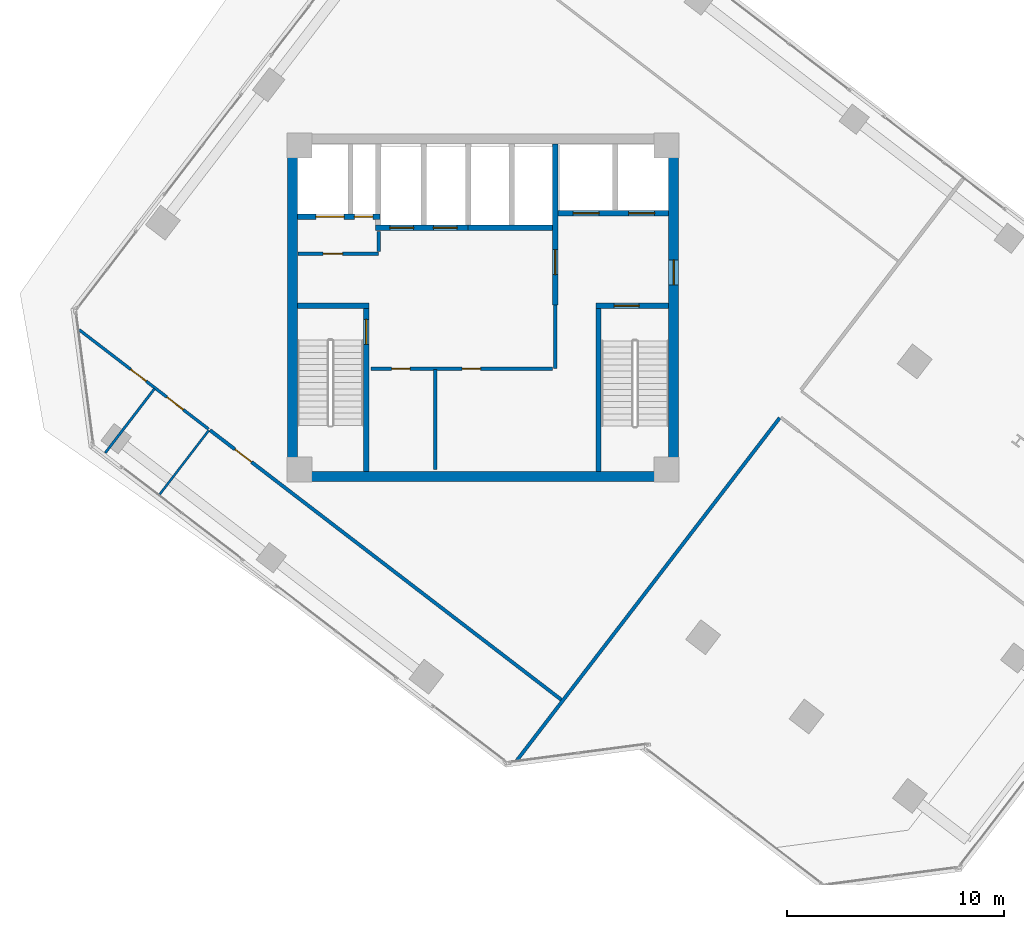
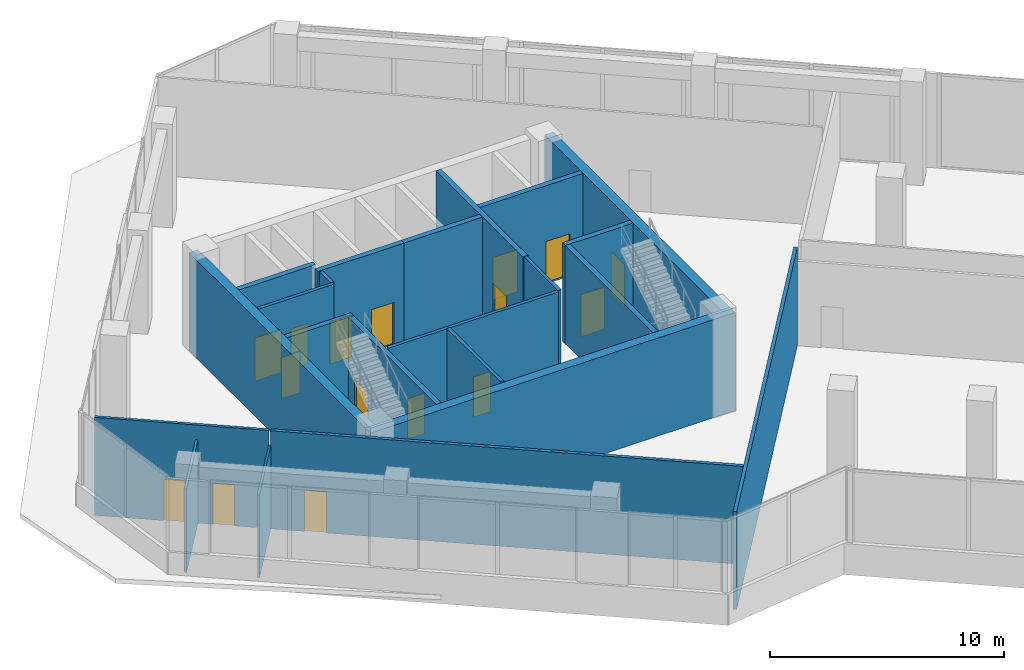
# One storey, part 18 of 23: 22 walls, 16 doors, 16 openings.
"""IFC4 building model written with IfcOpenShell, lengths in metres."""

from ifc_helpers import new_model, si_unit, direction, frame, frame_2d, origin, place, context, subcontext, project, spatial, rectangle, extrude, source, transform, mapped, material, layer, layer_set, type_object, element, fill, save


model = new_model("IFC4")

# Units and contexts
model_context = context("Model", 3, precision=1e-05, world=origin(), true_north=direction((0.0, 1.0)))
body_context = subcontext(model_context, "Body", "Model", "MODEL_VIEW")
ifc_project = project(units=[si_unit("LENGTHUNIT", "METRE"), si_unit("AREAUNIT", "SQUARE_METRE"), si_unit("VOLUMEUNIT", "CUBIC_METRE"), si_unit("PLANEANGLEUNIT", "RADIAN"), si_unit("MASSUNIT", "GRAM", prefix="KILO")], contexts=[model_context])

# Site, building, storey
site_placement = place(None, origin())
site = spatial("IfcSite", under=ifc_project, at=site_placement, CompositionType="ELEMENT")
building_placement = place(site_placement, origin())
building = spatial("IfcBuilding", under=site, at=building_placement, Name="Torre Montelarca", CompositionType="ELEMENT")
storey_placement = place(building_placement, frame((0.0, 0.0, 204.39990234375)))
storey = spatial("IfcBuildingStorey", under=building, at=storey_placement, Name="L46", CompositionType="ELEMENT", Elevation=204.39990234375)

# Wall, opening, door
ifc_material_1 = material(Name="Concrete C40/50", Category="concrete")
ifc_layer_1 = layer(ifc_material_1, 0.25, Name="Concrete C40/50", Category="concrete")
ifc_layer_set_1 = layer_set([ifc_layer_1], Name="Concrete C40/50")
wall_type_1 = type_object("IfcWallType", Name="CW-SHAFT-250", PredefinedType="SHEAR", material=ifc_layer_set_1)
wall_1_placement = place(storey_placement, frame((12.625, 24.4599609375, 0.0), z_axis=(0.0, 0.0, 1.0), x_axis=(0.0, 1.0, 0.0)))
wall_1 = element("IfcWall", 1, at=wall_1_placement, inside=storey, type_object=wall_type_1, Name="L46 Core Shear Wall SH-ST1-E", PredefinedType="SHEAR", context=body_context, shape_type="SweptSolid", body=[
    extrude(rectangle(XDim=7.489990234375, YDim=0.25, at=frame_2d((3.7451171875, 0.0))), origin(), (0.0, 0.0, 1.0), 5.1201171875),
])
opening_1_placement = place(wall_1_placement, frame((5.85009765625, 0.0, 0.0)))
opening_1 = element("IfcOpeningElement", 2, at=opening_1_placement, cuts=wall_1, Name="Opening FD-ST1", PredefinedType="OPENING", context=body_context, shape_type="SweptSolid", body=[
    extrude(rectangle(XDim=1.14990234375, YDim=2.199951171875, at=frame_2d((0.574951171875, 1.10009765625))), frame((0.0, 0.135009765625, 0.0), z_axis=(0.0, -1.0, 0.0), x_axis=(1.0, 0.0, 0.0)), (0.0, 0.0, 1.0), 0.27001953125),
])
ifc_material_2 = material(Name="Galvanized steel fire door", Category="steel")
door_type_1 = type_object("IfcDoorType", Name="DR-STAIR-115", OperationType="NOTDEFINED", PredefinedType="DOOR", material=ifc_material_2)
shared_shape_1 = source(origin(), body_context, "Body", "SweptSolid", [
    extrude(rectangle(XDim=1.14990234375, YDim=2.199951171875, at=frame_2d((0.574951171875, 1.10009765625))), frame((0.0, 0.02490234375, 0.0), z_axis=(0.0, -1.0, 0.0), x_axis=(1.0, 0.0, 0.0)), (0.0, 0.0, 1.0), 0.050048828125),
])
door_1_placement = place(opening_1_placement, origin())
door_1 = element("IfcDoor", 3, at=door_1_placement, inside=storey, type_object=door_type_1, Name="L46 Exit Stair ST1 Fire Door", OperationType="SINGLE_SWING_RIGHT", OverallHeight=2.199951171875, OverallWidth=1.14990234375, PredefinedType="DOOR", context=body_context, shape_type="MappedRepresentation", body=[
    mapped(shared_shape_1, transform((0.0, 0.0, 0.0), scale=1.0)),
])
fill(opening_1, door_1)

# Walls
wall_2_placement = place(storey_placement, frame((9.4599609375, 32.074951171875, 0.0), z_axis=(0.0, 0.0, 1.0), x_axis=(1.0, 0.0, 0.0)))
element("IfcWall", 4, at=wall_2_placement, inside=storey, type_object=wall_type_1, Name="L46 Core Shear Wall SH-ST1-N", PredefinedType="SHEAR", context=body_context, shape_type="SweptSolid", body=[
    extrude(rectangle(XDim=3.2900390625, YDim=0.25, at=frame_2d((1.64501953125, 0.0))), origin(), (0.0, 0.0, 1.0), 5.1201171875),
])
wall_3_placement = place(storey_placement, frame((23.31494140625, 24.4599609375, 0.0), z_axis=(0.0, 0.0, 1.0), x_axis=(0.0, 1.0, 0.0)))
element("IfcWall", 5, at=wall_3_placement, inside=storey, type_object=wall_type_1, Name="L46 Core Shear Wall SH-ST2-W", PredefinedType="SHEAR", context=body_context, shape_type="SweptSolid", body=[
    extrude(rectangle(XDim=7.489990234375, YDim=0.25, at=frame_2d((3.7451171875, 0.0))), origin(), (0.0, 0.0, 1.0), 5.1201171875),
])

# Wall, opening, door
wall_4_placement = place(storey_placement, frame((23.18994140625, 32.074951171875, 0.0), z_axis=(0.0, 0.0, 1.0), x_axis=(1.0, 0.0, 0.0)))
wall_4 = element("IfcWall", 6, at=wall_4_placement, inside=storey, type_object=wall_type_1, Name="L46 Core Shear Wall SH-ST2-N", PredefinedType="SHEAR", context=body_context, shape_type="SweptSolid", body=[
    extrude(rectangle(XDim=3.35009765625, YDim=0.25, at=frame_2d((1.675048828125, 0.0))), origin(), (0.0, 0.0, 1.0), 5.1201171875),
])
opening_2_placement = place(wall_4_placement, frame((0.85009765625, 0.0, 0.0)))
opening_2 = element("IfcOpeningElement", 7, at=opening_2_placement, cuts=wall_4, Name="Opening FD-ST1", PredefinedType="OPENING", context=body_context, shape_type="SweptSolid", body=[
    extrude(rectangle(XDim=1.14990234375, YDim=2.199951171875, at=frame_2d((0.574951171875, 1.10009765625))), frame((0.0, 0.135009765625, 0.0), z_axis=(0.0, -1.0, 0.0), x_axis=(1.0, 0.0, 0.0)), (0.0, 0.0, 1.0), 0.27001953125),
])
door_2_placement = place(opening_2_placement, origin())
door_2 = element("IfcDoor", 8, at=door_2_placement, inside=storey, type_object=door_type_1, Name="L46 Exit Stair ST2 Fire Door", OperationType="SINGLE_SWING_RIGHT", OverallHeight=2.199951171875, OverallWidth=1.14990234375, PredefinedType="DOOR", context=body_context, shape_type="MappedRepresentation", body=[
    mapped(shared_shape_1, transform((0.0, 0.0, 0.0), scale=1.0)),
])
fill(opening_2, door_2)

wall_5_placement = place(storey_placement, frame((21.320068359375, 32.1201171875, 0.0), z_axis=(0.0, 0.0, 1.0), x_axis=(0.0, 1.0, 0.0)))
wall_5 = element("IfcWall", 9, at=wall_5_placement, inside=storey, type_object=wall_type_1, Name="L46 Core Shear Wall SH-FFL-W", PredefinedType="SHEAR", context=body_context, shape_type="SweptSolid", body=[
    extrude(rectangle(XDim=7.419921875, YDim=0.25, at=frame_2d((3.7099609375, 0.0))), origin(), (0.0, 0.0, 1.0), 5.1201171875),
])
opening_3_placement = place(wall_5_placement, frame((1.39990234375, 0.0, 0.0)))
opening_3 = element("IfcOpeningElement", 10, at=opening_3_placement, cuts=wall_5, Name="Opening FD-LB1", PredefinedType="OPENING", context=body_context, shape_type="SweptSolid", body=[
    extrude(rectangle(XDim=1.14990234375, YDim=2.199951171875, at=frame_2d((0.574951171875, 1.10009765625))), frame((0.0, 0.135009765625, 0.0), z_axis=(0.0, -1.0, 0.0), x_axis=(1.0, 0.0, 0.0)), (0.0, 0.0, 1.0), 0.27001953125),
])
ifc_material_3 = material(Name="Acoustic timber-veneered fire door", Category="wood")
door_type_2 = type_object("IfcDoorType", Name="DR-LOBBY-115", OperationType="NOTDEFINED", PredefinedType="DOOR", material=ifc_material_3)
shared_shape_2 = source(origin(), body_context, "Body", "SweptSolid", [
    extrude(rectangle(XDim=1.14990234375, YDim=2.199951171875, at=frame_2d((0.574951171875, 1.10009765625))), frame((0.0, 0.02490234375, 0.0), z_axis=(0.0, -1.0, 0.0), x_axis=(1.0, 0.0, 0.0)), (0.0, 0.0, 1.0), 0.050048828125),
])
door_3_placement = place(opening_3_placement, origin())
door_3 = element("IfcDoor", 11, at=door_3_placement, inside=storey, type_object=door_type_2, Name="L46 Lift Lobby to Firefighting Lobby Smoke Door", OperationType="SINGLE_SWING_LEFT", OverallHeight=2.199951171875, OverallWidth=1.14990234375, PredefinedType="DOOR", context=body_context, shape_type="MappedRepresentation", body=[
    mapped(shared_shape_2, transform((0.0, 0.0, 0.0), scale=1.0)),
])
fill(opening_3, door_3)

# Wall, openings, doors
wall_6_placement = place(storey_placement, frame((9.4599609375, 36.179931640625, 0.0), z_axis=(0.0, 0.0, 1.0), x_axis=(1.0, 0.0, 0.0)))
wall_6 = element("IfcWall", 12, at=wall_6_placement, inside=storey, type_object=wall_type_1, Name="L46 Core Shear Wall SH-SV1-S", PredefinedType="SHEAR", context=body_context, shape_type="SweptSolid", body=[
    extrude(rectangle(XDim=3.7900390625, YDim=0.25, at=frame_2d((1.89501953125, 0.0))), origin(), (0.0, 0.0, 1.0), 5.1201171875),
])
opening_4_placement = place(wall_6_placement, frame((2.6201171875, 0.0, 0.0)))
opening_4 = element("IfcOpeningElement", 13, at=opening_4_placement, cuts=wall_6, Name="Opening FD-085", PredefinedType="OPENING", context=body_context, shape_type="SweptSolid", body=[
    extrude(rectangle(XDim=0.85009765625, YDim=2.10009765625, at=frame_2d((0.425048828125, 1.050048828125))), frame((0.0, 0.135009765625, 0.0), z_axis=(0.0, -1.0, 0.0), x_axis=(1.0, 0.0, 0.0)), (0.0, 0.0, 1.0), 0.27001953125),
])
opening_5_placement = place(wall_6_placement, frame((0.85009765625, 0.0, 0.0)))
opening_5 = element("IfcOpeningElement", 14, at=opening_5_placement, cuts=wall_6, Name="Opening LD-130", PredefinedType="OPENING", context=body_context, shape_type="SweptSolid", body=[
    extrude(rectangle(XDim=1.300048828125, YDim=2.25, at=frame_2d((0.64990234375, 1.125))), frame((0.0, 0.135009765625, 0.0), z_axis=(0.0, -1.0, 0.0), x_axis=(1.0, 0.0, 0.0)), (0.0, 0.0, 1.0), 0.27001953125),
])
ifc_material_4 = material(Name="Steel riser access fire door", Category="steel")
door_type_3 = type_object("IfcDoorType", Name="DR-RISER-085", OperationType="NOTDEFINED", PredefinedType="DOOR", material=ifc_material_4)
shared_shape_3 = source(origin(), body_context, "Body", "SweptSolid", [
    extrude(rectangle(XDim=0.85009765625, YDim=2.10009765625, at=frame_2d((0.425048828125, 1.050048828125))), frame((0.0, 0.02490234375, 0.0), z_axis=(0.0, -1.0, 0.0), x_axis=(1.0, 0.0, 0.0)), (0.0, 0.0, 1.0), 0.050048828125),
])
door_4_placement = place(opening_4_placement, origin())
door_4 = element("IfcDoor", 15, at=door_4_placement, inside=storey, type_object=door_type_3, Name="L46 Electrical Riser Shaft Access Door", OperationType="SINGLE_SWING_RIGHT", OverallHeight=2.10009765625, OverallWidth=0.85009765625, PredefinedType="DOOR", context=body_context, shape_type="MappedRepresentation", body=[
    mapped(shared_shape_3, transform((0.0, 0.0, 0.0), scale=1.0)),
])
fill(opening_4, door_4)
ifc_material_5 = material(Name="Brushed stainless steel AISI 316", Category="steel")
door_type_4 = type_object("IfcDoorType", Name="DR-LIFT-130", OperationType="SLIDING_TO_LEFT", PredefinedType="DOOR", material=ifc_material_5)
shared_shape_4 = source(origin(), body_context, "Body", "SweptSolid", [
    extrude(rectangle(XDim=1.300048828125, YDim=2.25, at=frame_2d((0.64990234375, 1.125))), frame((0.0, 0.02490234375, 0.0), z_axis=(0.0, -1.0, 0.0), x_axis=(1.0, 0.0, 0.0)), (0.0, 0.0, 1.0), 0.050048828125),
])
door_5_placement = place(opening_5_placement, origin())
door_5 = element("IfcDoor", 16, at=door_5_placement, inside=storey, type_object=door_type_4, Name="L46 Lift Landing Sliding Door SV-1", OperationType="SLIDING_TO_LEFT", OverallHeight=2.25, OverallWidth=1.300048828125, PredefinedType="DOOR", context=body_context, shape_type="MappedRepresentation", body=[
    mapped(shared_shape_4, transform((0.0, 0.0, 0.0), scale=1.0)),
])
fill(opening_5, door_5)

wall_7_placement = place(storey_placement, frame((21.449951171875, 36.35009765625, 0.0), z_axis=(0.0, 0.0, 1.0), x_axis=(1.0, 0.0, 0.0)))
wall_7 = element("IfcWall", 17, at=wall_7_placement, inside=storey, type_object=wall_type_1, Name="L46 Core Shear Wall SH-FF-S", PredefinedType="SHEAR", context=body_context, shape_type="SweptSolid", body=[
    extrude(rectangle(XDim=5.090087890625, YDim=0.25, at=frame_2d((2.544921875, 0.0))), origin(), (0.0, 0.0, 1.0), 5.1201171875),
])
opening_6_placement = place(wall_7_placement, frame((0.699951171875, 0.0, 0.0)))
opening_6 = element("IfcOpeningElement", 18, at=opening_6_placement, cuts=wall_7, Name="Opening LD-120", PredefinedType="OPENING", context=body_context, shape_type="SweptSolid", body=[
    extrude(rectangle(XDim=1.199951171875, YDim=2.199951171875, at=frame_2d((0.60009765625, 1.10009765625))), frame((0.0, 0.135009765625, 0.0), z_axis=(0.0, -1.0, 0.0), x_axis=(1.0, 0.0, 0.0)), (0.0, 0.0, 1.0), 0.27001953125),
])
opening_7_placement = place(wall_7_placement, frame((3.25, 0.0, 0.0)))
opening_7 = element("IfcOpeningElement", 19, at=opening_7_placement, cuts=wall_7, Name="Opening LD-120", PredefinedType="OPENING", context=body_context, shape_type="SweptSolid", body=[
    extrude(rectangle(XDim=1.199951171875, YDim=2.199951171875, at=frame_2d((0.60009765625, 1.10009765625))), frame((0.0, 0.135009765625, 0.0), z_axis=(0.0, -1.0, 0.0), x_axis=(1.0, 0.0, 0.0)), (0.0, 0.0, 1.0), 0.27001953125),
])
door_type_5 = type_object("IfcDoorType", Name="DR-LIFT-120", OperationType="SLIDING_TO_RIGHT", PredefinedType="DOOR", material=ifc_material_5)
shared_shape_5 = source(origin(), body_context, "Body", "SweptSolid", [
    extrude(rectangle(XDim=1.199951171875, YDim=2.199951171875, at=frame_2d((0.60009765625, 1.10009765625))), frame((0.0, 0.02490234375, 0.0), z_axis=(0.0, -1.0, 0.0), x_axis=(1.0, 0.0, 0.0)), (0.0, 0.0, 1.0), 0.050048828125),
])
door_6_placement = place(opening_6_placement, origin())
door_6 = element("IfcDoor", 20, at=door_6_placement, inside=storey, type_object=door_type_5, Name="L46 Lift Landing Sliding Door FF-1", OperationType="SLIDING_TO_LEFT", OverallHeight=2.199951171875, OverallWidth=1.199951171875, PredefinedType="DOOR", context=body_context, shape_type="MappedRepresentation", body=[
    mapped(shared_shape_5, transform((0.0, 0.0, 0.0), scale=1.0)),
])
fill(opening_6, door_6)
door_7_placement = place(opening_7_placement, origin())
door_7 = element("IfcDoor", 21, at=door_7_placement, inside=storey, type_object=door_type_5, Name="L46 Lift Landing Sliding Door FF-2", OperationType="SLIDING_TO_RIGHT", OverallHeight=2.199951171875, OverallWidth=1.199951171875, PredefinedType="DOOR", context=body_context, shape_type="MappedRepresentation", body=[
    mapped(shared_shape_5, transform((0.0, 0.0, 0.0), scale=1.0)),
])
fill(opening_7, door_7)

wall_8_placement = place(storey_placement, frame((13.06005859375, 35.679931640625, 0.0), z_axis=(0.0, 0.0, 1.0), x_axis=(1.0, 0.0, 0.0)))
wall_8 = element("IfcWall", 22, at=wall_8_placement, inside=storey, type_object=wall_type_1, Name="L46 Core Shear Wall SH-PLM-S", PredefinedType="SHEAR", context=body_context, shape_type="SweptSolid", body=[
    extrude(rectangle(XDim=4.25, YDim=0.25, at=frame_2d((2.125, 0.0))), origin(), (0.0, 0.0, 1.0), 5.1201171875),
])
opening_8_placement = place(wall_8_placement, frame((0.64990234375, 0.0, 0.0)))
opening_8 = element("IfcOpeningElement", 23, at=opening_8_placement, cuts=wall_8, Name="Opening LD-110", PredefinedType="OPENING", context=body_context, shape_type="SweptSolid", body=[
    extrude(rectangle(XDim=1.10009765625, YDim=2.199951171875, at=frame_2d((0.550048828125, 1.10009765625))), frame((0.0, 0.135009765625, 0.0), z_axis=(0.0, -1.0, 0.0), x_axis=(1.0, 0.0, 0.0)), (0.0, 0.0, 1.0), 0.27001953125),
])
opening_9_placement = place(wall_8_placement, frame((2.64990234375, 0.0, 0.0)))
opening_9 = element("IfcOpeningElement", 24, at=opening_9_placement, cuts=wall_8, Name="Opening LD-110", PredefinedType="OPENING", context=body_context, shape_type="SweptSolid", body=[
    extrude(rectangle(XDim=1.10009765625, YDim=2.199951171875, at=frame_2d((0.550048828125, 1.10009765625))), frame((0.0, 0.135009765625, 0.0), z_axis=(0.0, -1.0, 0.0), x_axis=(1.0, 0.0, 0.0)), (0.0, 0.0, 1.0), 0.27001953125),
])
door_type_6 = type_object("IfcDoorType", Name="DR-LIFT-110", OperationType="SLIDING_TO_LEFT", PredefinedType="DOOR", material=ifc_material_5)
shared_shape_6 = source(origin(), body_context, "Body", "SweptSolid", [
    extrude(rectangle(XDim=1.10009765625, YDim=2.199951171875, at=frame_2d((0.550048828125, 1.10009765625))), frame((0.0, 0.02490234375, 0.0), z_axis=(0.0, -1.0, 0.0), x_axis=(1.0, 0.0, 0.0)), (0.0, 0.0, 1.0), 0.050048828125),
])
door_8_placement = place(opening_8_placement, origin())
door_8 = element("IfcDoor", 25, at=door_8_placement, inside=storey, type_object=door_type_6, Name="L46 Lift Landing Sliding Door PL-M1", OperationType="SLIDING_TO_LEFT", OverallHeight=2.199951171875, OverallWidth=1.10009765625, PredefinedType="DOOR", context=body_context, shape_type="MappedRepresentation", body=[
    mapped(shared_shape_6, transform((0.0, 0.0, 0.0), scale=1.0)),
])
fill(opening_8, door_8)
door_9_placement = place(opening_9_placement, origin())
door_9 = element("IfcDoor", 26, at=door_9_placement, inside=storey, type_object=door_type_6, Name="L46 Lift Landing Sliding Door PL-M2", OperationType="SLIDING_TO_RIGHT", OverallHeight=2.199951171875, OverallWidth=1.10009765625, PredefinedType="DOOR", context=body_context, shape_type="MappedRepresentation", body=[
    mapped(shared_shape_6, transform((0.0, 0.0, 0.0), scale=1.0)),
])
fill(opening_9, door_9)

# Walls
wall_9_placement = place(storey_placement, frame((17.320068359375, 35.679931640625, 0.0), z_axis=(0.0, 0.0, 1.0), x_axis=(1.0, 0.0, 0.0)))
element("IfcWall", 27, at=wall_9_placement, inside=storey, type_object=wall_type_1, Name="L46 Core Shear Wall SH-PLH-S", PredefinedType="SHEAR", context=body_context, shape_type="SweptSolid", body=[
    extrude(rectangle(XDim=3.869873046875, YDim=0.25, at=frame_2d((1.93505859375, 0.0))), origin(), (0.0, 0.0, 1.0), 5.1201171875),
])
ifc_material_6 = material(Name="Concrete C55/67", Category="concrete")
ifc_layer_2 = layer(ifc_material_6, 0.449951171875, Name="Concrete C55/67", Category="concrete")
ifc_layer_set_2 = layer_set([ifc_layer_2], Name="Concrete C55/67")
wall_type_2 = type_object("IfcWallType", Name="CW-SHEAR-450", PredefinedType="SHEAR", material=ifc_layer_set_2)
wall_10_placement = place(storey_placement, frame((9.22509765625, 24.449951171875, 0.0), z_axis=(0.0, 0.0, 1.0), x_axis=(0.0, 1.0, 0.0)))
element("IfcWall", 28, at=wall_10_placement, inside=storey, type_object=wall_type_2, Name="L46 Core Shear Wall CW-W", PredefinedType="SHEAR", context=body_context, shape_type="SweptSolid", body=[
    extrude(rectangle(XDim=15.10009765625, YDim=0.449951171875, at=frame_2d((7.550048828125, 0.0))), origin(), (0.0, 0.0, 1.0), 5.1201171875),
])

# Wall, opening, door
wall_11_placement = place(storey_placement, frame((26.77490234375, 24.449951171875, 0.0), z_axis=(0.0, 0.0, 1.0), x_axis=(0.0, 1.0, 0.0)))
wall_11 = element("IfcWall", 29, at=wall_11_placement, inside=storey, type_object=wall_type_2, Name="L46 Core Shear Wall CW-E", PredefinedType="SHEAR", context=body_context, shape_type="SweptSolid", body=[
    extrude(rectangle(XDim=15.10009765625, YDim=0.449951171875, at=frame_2d((7.550048828125, 0.0))), origin(), (0.0, 0.0, 1.0), 5.1201171875),
])
opening_10_placement = place(wall_11_placement, frame((8.60009765625, 0.0, 0.0)))
opening_10 = element("IfcOpeningElement", 30, at=opening_10_placement, cuts=wall_11, Name="Opening FD-LB1", PredefinedType="OPENING", context=body_context, shape_type="SweptSolid", body=[
    extrude(rectangle(XDim=1.14990234375, YDim=2.199951171875, at=frame_2d((0.574951171875, 1.10009765625))), frame((0.0, 0.23486328125, 0.0), z_axis=(0.0, -1.0, 0.0), x_axis=(1.0, 0.0, 0.0)), (0.0, 0.0, 1.0), 0.469970703125),
])
door_10_placement = place(opening_10_placement, origin())
door_10 = element("IfcDoor", 31, at=door_10_placement, inside=storey, type_object=door_type_2, Name="L46 Firefighting Lift Lobby Corridor Fire Door", OperationType="SINGLE_SWING_RIGHT", OverallHeight=2.199951171875, OverallWidth=1.14990234375, PredefinedType="DOOR", context=body_context, shape_type="MappedRepresentation", body=[
    mapped(shared_shape_2, transform((0.0, 0.0, 0.0), scale=1.0)),
])
fill(opening_10, door_10)

# Wall
wall_12_placement = place(storey_placement, frame((9.0, 24.22509765625, 0.0), z_axis=(0.0, 0.0, 1.0), x_axis=(1.0, 0.0, 0.0)))
element("IfcWall", 32, at=wall_12_placement, inside=storey, type_object=wall_type_2, Name="L46 Core Shear Wall CW-S1", PredefinedType="SHEAR", context=body_context, shape_type="SweptSolid", body=[
    extrude(rectangle(XDim=18.0, YDim=0.449951171875, at=frame_2d((9.0, 0.0))), origin(), (0.0, 0.0, 1.0), 5.1201171875),
])

# Wall, opening, door
ifc_material_7 = material(Name="Gypsum plasterboard on steel stud", Category="steel")
ifc_layer_3 = layer(ifc_material_7, 0.159912109375, Name="Gypsum plasterboard on steel stud", Category="steel")
ifc_layer_set_3 = layer_set([ifc_layer_3], Name="Gypsum plasterboard on steel stud")
wall_type_3 = type_object("IfcWallType", Name="PW-FIRE-160", PredefinedType="PARTITIONING", material=ifc_layer_set_3)
wall_13_placement = place(storey_placement, frame((9.489990234375, 34.47998046875, 0.0), z_axis=(0.0, 0.0, 1.0), x_axis=(1.0, 0.0, 0.0)))
wall_13 = element("IfcWall", 33, at=wall_13_placement, inside=storey, type_object=wall_type_3, Name="L46 Interior Partition CW-L46-SVS", PredefinedType="PARTITIONING", context=body_context, shape_type="SweptSolid", body=[
    extrude(rectangle(XDim=3.699951171875, YDim=0.159912109375, at=frame_2d((1.85009765625, 0.0))), origin(), (0.0, 0.0, 1.0), 5.1201171875),
])
opening_11_placement = place(wall_13_placement, frame((1.14990234375, 0.0, 0.0)))
opening_11 = element("IfcOpeningElement", 34, at=opening_11_placement, cuts=wall_13, Name="Opening FD-090", PredefinedType="OPENING", context=body_context, shape_type="SweptSolid", body=[
    extrude(rectangle(XDim=0.89990234375, YDim=2.14990234375, at=frame_2d((0.449951171875, 1.074951171875))), frame((0.0, 0.08984375, 0.0), z_axis=(0.0, -1.0, 0.0), x_axis=(1.0, 0.0, 0.0)), (0.0, 0.0, 1.0), 0.179931640625),
])
ifc_material_8 = material(Name="Steel service fire door", Category="steel")
door_type_7 = type_object("IfcDoorType", Name="DR-FIRE-090", OperationType="NOTDEFINED", PredefinedType="DOOR", material=ifc_material_8)
shared_shape_7 = source(origin(), body_context, "Body", "SweptSolid", [
    extrude(rectangle(XDim=0.89990234375, YDim=2.14990234375, at=frame_2d((0.449951171875, 1.074951171875))), frame((0.0, 0.02490234375, 0.0), z_axis=(0.0, -1.0, 0.0), x_axis=(1.0, 0.0, 0.0)), (0.0, 0.0, 1.0), 0.050048828125),
])
door_11_placement = place(opening_11_placement, origin())
door_11 = element("IfcDoor", 35, at=door_11_placement, inside=storey, type_object=door_type_7, Name="L46 Interior Door 01", OperationType="SINGLE_SWING_RIGHT", OverallHeight=2.14990234375, OverallWidth=0.89990234375, PredefinedType="DOOR", context=body_context, shape_type="MappedRepresentation", body=[
    mapped(shared_shape_7, transform((0.0, 0.0, 0.0), scale=1.0)),
])
fill(opening_11, door_11)

# Wall
wall_14_placement = place(storey_placement, frame((13.199951171875, 34.570068359375, 0.0), z_axis=(0.0, 0.0, 1.0), x_axis=(0.0, 1.0, 0.0)))
element("IfcWall", 36, at=wall_14_placement, inside=storey, type_object=wall_type_3, Name="L46 Interior Partition CW-L46-SVE", PredefinedType="PARTITIONING", context=body_context, shape_type="SweptSolid", body=[
    extrude(rectangle(XDim=0.93994140625, YDim=0.159912109375, at=frame_2d((0.469970703125, 0.0))), origin(), (0.0, 0.0, 1.0), 5.1201171875),
])

# Wall, openings, doors
wall_15_placement = place(storey_placement, frame((12.840087890625, 29.179931640625, 0.0), z_axis=(0.0, 0.0, 1.0), x_axis=(1.0, 0.0, 0.0)))
wall_15 = element("IfcWall", 37, at=wall_15_placement, inside=storey, type_object=wall_type_3, Name="L46 Interior Partition CW-L46-FRDN", PredefinedType="PARTITIONING", context=body_context, shape_type="SweptSolid", body=[
    extrude(rectangle(XDim=8.369873046875, YDim=0.159912109375, at=frame_2d((4.18505859375, 0.0))), origin(), (0.0, 0.0, 1.0), 5.1201171875),
])
opening_12_placement = place(wall_15_placement, frame((0.949951171875, 0.0, 0.0)))
opening_12 = element("IfcOpeningElement", 38, at=opening_12_placement, cuts=wall_15, Name="Opening FD-085", PredefinedType="OPENING", context=body_context, shape_type="SweptSolid", body=[
    extrude(rectangle(XDim=0.85009765625, YDim=2.10009765625, at=frame_2d((0.425048828125, 1.050048828125))), frame((0.0, 0.08984375, 0.0), z_axis=(0.0, -1.0, 0.0), x_axis=(1.0, 0.0, 0.0)), (0.0, 0.0, 1.0), 0.179931640625),
])
opening_13_placement = place(wall_15_placement, frame((4.199951171875, 0.0, 0.0)))
opening_13 = element("IfcOpeningElement", 39, at=opening_13_placement, cuts=wall_15, Name="Opening FD-085", PredefinedType="OPENING", context=body_context, shape_type="SweptSolid", body=[
    extrude(rectangle(XDim=0.85009765625, YDim=2.10009765625, at=frame_2d((0.425048828125, 1.050048828125))), frame((0.0, 0.08984375, 0.0), z_axis=(0.0, -1.0, 0.0), x_axis=(1.0, 0.0, 0.0)), (0.0, 0.0, 1.0), 0.179931640625),
])
door_12_placement = place(opening_12_placement, origin())
door_12 = element("IfcDoor", 40, at=door_12_placement, inside=storey, type_object=door_type_3, Name="L46 Interior Door 02", OperationType="SINGLE_SWING_LEFT", OverallHeight=2.10009765625, OverallWidth=0.85009765625, PredefinedType="DOOR", context=body_context, shape_type="MappedRepresentation", body=[
    mapped(shared_shape_3, transform((0.0, 0.0, 0.0), scale=1.0)),
])
fill(opening_12, door_12)
door_13_placement = place(opening_13_placement, origin())
door_13 = element("IfcDoor", 41, at=door_13_placement, inside=storey, type_object=door_type_3, Name="L46 Interior Door 03", OperationType="SINGLE_SWING_RIGHT", OverallHeight=2.10009765625, OverallWidth=0.85009765625, PredefinedType="DOOR", context=body_context, shape_type="MappedRepresentation", body=[
    mapped(shared_shape_3, transform((0.0, 0.0, 0.0), scale=1.0)),
])
fill(opening_13, door_13)

# Walls
wall_16_placement = place(storey_placement, frame((15.800048828125, 24.5400390625, 0.0), z_axis=(0.0, 0.0, 1.0), x_axis=(0.0, 1.0, 0.0)))
element("IfcWall", 42, at=wall_16_placement, inside=storey, type_object=wall_type_3, Name="L46 Interior Partition CW-L46-FRD1", PredefinedType="PARTITIONING", context=body_context, shape_type="SweptSolid", body=[
    extrude(rectangle(XDim=4.599853515625, YDim=0.159912109375, at=frame_2d((2.2998046875, 0.0))), origin(), (0.0, 0.0, 1.0), 5.1201171875),
])
wall_17_placement = place(storey_placement, frame((21.320068359375, 29.18994140625, 0.0), z_axis=(0.0, 0.0, 1.0), x_axis=(0.0, 1.0, 0.0)))
element("IfcWall", 43, at=wall_17_placement, inside=storey, type_object=wall_type_3, Name="L46 Interior Partition CW-L46-FRE", PredefinedType="PARTITIONING", context=body_context, shape_type="SweptSolid", body=[
    extrude(rectangle(XDim=2.920166015625, YDim=0.159912109375, at=frame_2d((1.4599609375, 0.0))), origin(), (0.0, 0.0, 1.0), 5.1201171875),
])

# Wall, opening, door
wall_18_placement = place(storey_placement, frame((5.432861328125, 26.354248046875, 0.0), z_axis=(0.0, 0.0, 1.0), x_axis=(0.793362099466, -0.60875001366, 0.0)))
wall_18 = element("IfcWall", 44, at=wall_18_placement, inside=storey, type_object=wall_type_3, Name="L46 Interior Partition W-L46-SOCCN", PredefinedType="PARTITIONING", context=body_context, shape_type="SweptSolid", body=[
    extrude(rectangle(XDim=20.419921875, YDim=0.159912109375, at=frame_2d((10.2099609375, 0.0))), origin(), (0.0, 0.0, 1.0), 5.1201171875),
])
opening_14_placement = place(wall_18_placement, frame((1.449951171875, 0.0, 0.0)))
opening_14 = element("IfcOpeningElement", 45, at=opening_14_placement, cuts=wall_18, Name="Opening FD-095", PredefinedType="OPENING", context=body_context, shape_type="SweptSolid", body=[
    extrude(rectangle(XDim=0.949951171875, YDim=2.14990234375, at=frame_2d((0.47509765625, 1.074951171875))), frame((0.0, 0.08984375, 0.0), z_axis=(0.0, -1.0, 0.0), x_axis=(1.0, 0.0, 0.0)), (0.0, 0.0, 1.0), 0.179931640625),
])
ifc_material_9 = material(Name="Timber fire-rated room door", Category="wood")
door_type_8 = type_object("IfcDoorType", Name="DR-FIRE-095", OperationType="NOTDEFINED", PredefinedType="DOOR", material=ifc_material_9)
shared_shape_8 = source(origin(), body_context, "Body", "SweptSolid", [
    extrude(rectangle(XDim=0.949951171875, YDim=2.14990234375, at=frame_2d((0.47509765625, 1.074951171875))), frame((0.0, 0.02490234375, 0.0), z_axis=(0.0, -1.0, 0.0), x_axis=(1.0, 0.0, 0.0)), (0.0, 0.0, 1.0), 0.050048828125),
])
door_14_placement = place(opening_14_placement, origin())
door_14 = element("IfcDoor", 46, at=door_14_placement, inside=storey, type_object=door_type_8, Name="L46 Interior Door 06", OperationType="SINGLE_SWING_RIGHT", OverallHeight=2.14990234375, OverallWidth=0.949951171875, PredefinedType="DOOR", context=body_context, shape_type="MappedRepresentation", body=[
    mapped(shared_shape_8, transform((0.0, 0.0, 0.0), scale=1.0)),
])
fill(opening_14, door_14)

# Walls
wall_19_placement = place(storey_placement, frame((19.563720703125, 11.160400390625, 0.0), z_axis=(0.0, 0.0, 1.0), x_axis=(0.608754410964, 0.793358725377, 0.0)))
element("IfcWall", 47, at=wall_19_placement, inside=storey, type_object=wall_type_3, Name="L46 Interior Partition W-L46-ECS", PredefinedType="PARTITIONING", context=body_context, shape_type="SweptSolid", body=[
    extrude(rectangle(XDim=19.8720703125, YDim=0.159912109375, at=frame_2d((9.93603515625, 0.0))), origin(), (0.0, 0.0, 1.0), 5.1201171875),
])
ifc_material_10 = material(Name="Acoustic laminated glass partition", Category="glass")
ifc_layer_4 = layer(ifc_material_10, 0.10009765625, Name="Acoustic laminated glass partition", Category="glass")
ifc_layer_set_4 = layer_set([ifc_layer_4], Name="Acoustic laminated glass partition")
wall_type_4 = type_object("IfcWallType", Name="PW-GLAZ-100", PredefinedType="PARTITIONING", material=ifc_layer_set_4)
wall_20_placement = place(storey_placement, frame((3.1123046875, 23.395751953125, 0.0), z_axis=(0.0, 0.0, 1.0), x_axis=(0.60874289599, 0.793367560833, 0.0)))
element("IfcWall", 48, at=wall_20_placement, inside=storey, type_object=wall_type_4, Name="L46 Interior Partition W-L46-SWCDIV", PredefinedType="PARTITIONING", context=body_context, shape_type="SweptSolid", body=[
    extrude(rectangle(XDim=3.7197265625, YDim=0.10009765625, at=frame_2d((1.85986328125, 0.0))), origin(), (0.0, 0.0, 1.0), 4.35498046875),
])
ifc_layer_5 = layer(ifc_material_7, 0.114990234375, Name="Gypsum plasterboard on steel stud", Category="steel")
ifc_layer_set_5 = layer_set([ifc_layer_5], Name="Gypsum plasterboard on steel stud")
wall_type_5 = type_object("IfcWallType", Name="PW-PART-115", PredefinedType="PARTITIONING", material=ifc_layer_set_5)
wall_21_placement = place(storey_placement, frame((0.61328125, 25.313232421875, 0.0), z_axis=(0.0, 0.0, 1.0), x_axis=(0.608711199412, 0.79339188029, 0.0)))
element("IfcWall", 49, at=wall_21_placement, inside=storey, type_object=wall_type_5, Name="L46 Interior Partition W-L46-WCD", PredefinedType="PARTITIONING", context=body_context, shape_type="SweptSolid", body=[
    extrude(rectangle(XDim=3.719970703125, YDim=0.114990234375, at=frame_2d((1.85986328125, 0.0))), origin(), (0.0, 0.0, 1.0), 4.35498046875),
])

# Wall, openings, doors
ifc_layer_6 = layer(ifc_material_7, 0.135009765625, Name="Gypsum plasterboard on steel stud", Category="steel")
ifc_layer_set_6 = layer_set([ifc_layer_6], Name="Gypsum plasterboard on steel stud")
wall_type_6 = type_object("IfcWallType", Name="PW-PART-135", PredefinedType="PARTITIONING", material=ifc_layer_set_6)
wall_22_placement = place(storey_placement, frame((-0.590087890625, 30.97607421875, 0.0), z_axis=(0.0, 0.0, 1.0), x_axis=(0.793344734921, -0.608772643581, 0.0)))
wall_22 = element("IfcWall", 50, at=wall_22_placement, inside=storey, type_object=wall_type_6, Name="L46 Interior Partition W-L46-WCN", PredefinedType="PARTITIONING", context=body_context, shape_type="SweptSolid", body=[
    extrude(rectangle(XDim=7.51171875, YDim=0.135009765625, at=frame_2d((3.755859375, 0.0))), origin(), (0.0, 0.0, 1.0), 5.1201171875),
])
opening_15_placement = place(wall_22_placement, frame((2.989990234375, 0.0, 0.0)))
opening_15 = element("IfcOpeningElement", 51, at=opening_15_placement, cuts=wall_22, Name="Opening ID-090", PredefinedType="OPENING", context=body_context, shape_type="SweptSolid", body=[
    extrude(rectangle(XDim=0.89990234375, YDim=2.14990234375, at=frame_2d((0.449951171875, 1.074951171875))), frame((0.0, 0.07763671875, 0.0), z_axis=(0.0, -1.0, 0.0), x_axis=(1.0, 0.0, 0.0)), (0.0, 0.0, 1.0), 0.155029296875),
])
opening_16_placement = place(wall_22_placement, frame((5.090087890625, 0.0, 0.0)))
opening_16 = element("IfcOpeningElement", 52, at=opening_16_placement, cuts=wall_22, Name="Opening ID-095", PredefinedType="OPENING", context=body_context, shape_type="SweptSolid", body=[
    extrude(rectangle(XDim=0.949951171875, YDim=2.14990234375, at=frame_2d((0.47509765625, 1.074951171875))), frame((0.0, 0.07763671875, 0.0), z_axis=(0.0, -1.0, 0.0), x_axis=(1.0, 0.0, 0.0)), (0.0, 0.0, 1.0), 0.155029296875),
])
ifc_material_11 = material(Name="Hardwood acoustic timber veneer", Category="wood")
door_type_9 = type_object("IfcDoorType", Name="DR-INT-090", OperationType="NOTDEFINED", PredefinedType="DOOR", material=ifc_material_11)
shared_shape_9 = source(origin(), body_context, "Body", "SweptSolid", [
    extrude(rectangle(XDim=0.89990234375, YDim=2.14990234375, at=frame_2d((0.449951171875, 1.074951171875))), frame((0.0, 0.02490234375, 0.0), z_axis=(0.0, -1.0, 0.0), x_axis=(1.0, 0.0, 0.0)), (0.0, 0.0, 1.0), 0.050048828125),
])
door_15_placement = place(opening_15_placement, origin())
door_15 = element("IfcDoor", 53, at=door_15_placement, inside=storey, type_object=door_type_9, Name="L46 Interior Door 04", OperationType="SINGLE_SWING_LEFT", OverallHeight=2.14990234375, OverallWidth=0.89990234375, PredefinedType="DOOR", context=body_context, shape_type="MappedRepresentation", body=[
    mapped(shared_shape_9, transform((0.0, 0.0, 0.0), scale=1.0)),
])
fill(opening_15, door_15)
door_type_10 = type_object("IfcDoorType", Name="DR-INT-095", OperationType="NOTDEFINED", PredefinedType="DOOR", material=ifc_material_11)
shared_shape_10 = source(origin(), body_context, "Body", "SweptSolid", [
    extrude(rectangle(XDim=0.949951171875, YDim=2.14990234375, at=frame_2d((0.47509765625, 1.074951171875))), frame((0.0, 0.02490234375, 0.0), z_axis=(0.0, -1.0, 0.0), x_axis=(1.0, 0.0, 0.0)), (0.0, 0.0, 1.0), 0.050048828125),
])
door_16_placement = place(opening_16_placement, origin())
door_16 = element("IfcDoor", 54, at=door_16_placement, inside=storey, type_object=door_type_10, Name="L46 Interior Door 05", OperationType="SINGLE_SWING_RIGHT", OverallHeight=2.14990234375, OverallWidth=0.949951171875, PredefinedType="DOOR", context=body_context, shape_type="MappedRepresentation", body=[
    mapped(shared_shape_10, transform((0.0, 0.0, 0.0), scale=1.0)),
])
fill(opening_16, door_16)

save(model, "model.ifc")
